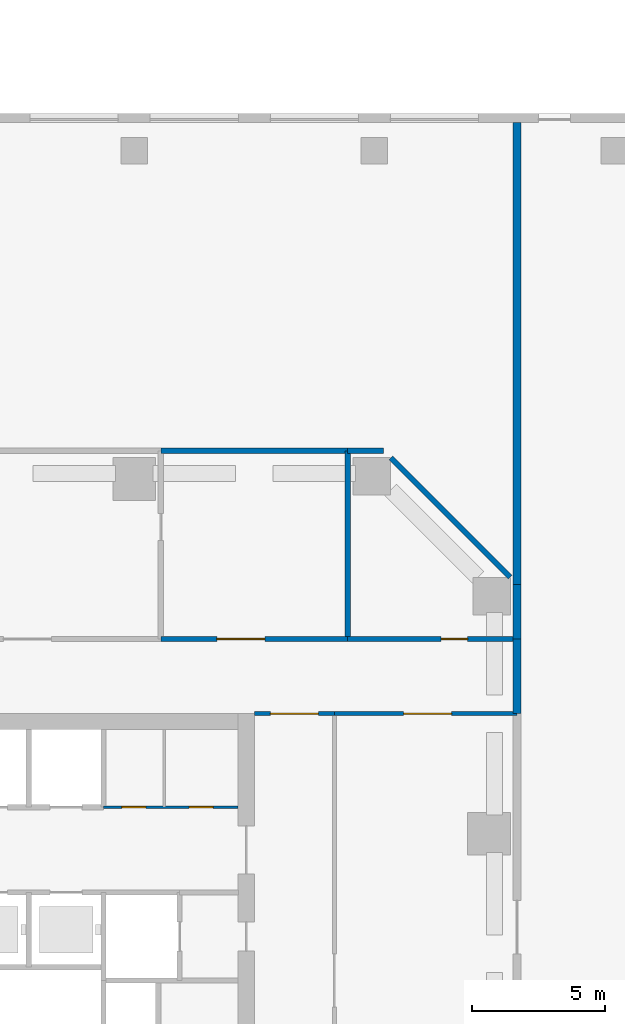
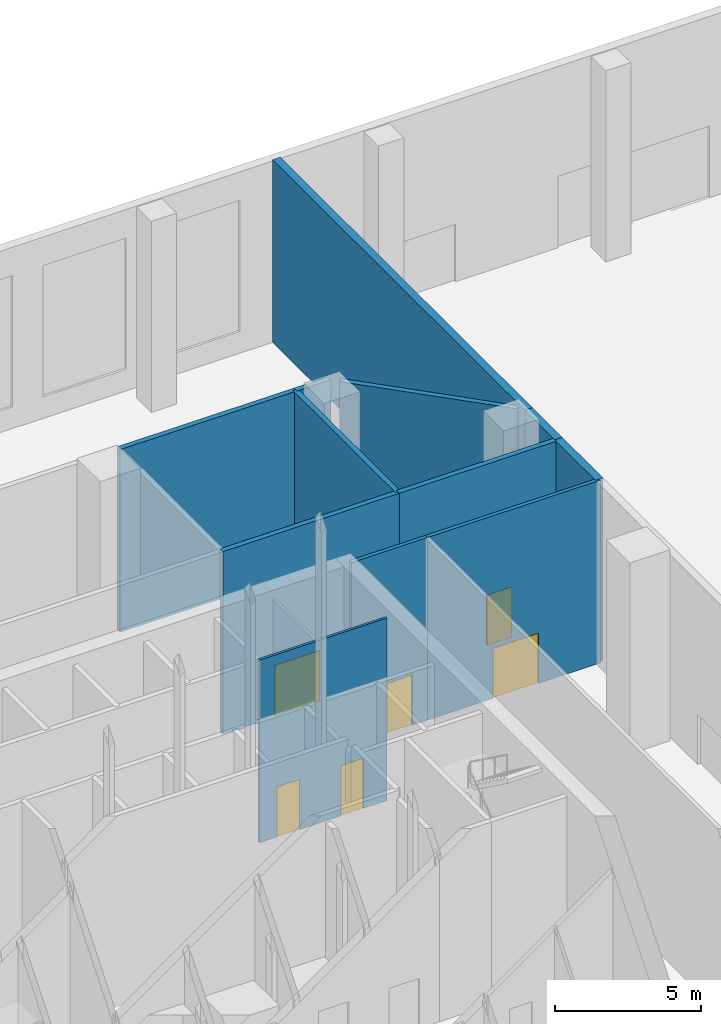
# One storey, part 17 of 32: 12 walls, 6 doors, 6 openings.
"""IFC4 building model written with IfcOpenShell, lengths in metres."""

from ifc_helpers import new_model, si_unit, direction, frame, frame_2d, origin, place, context, subcontext, project, spatial, rectangle, extrude, material, layer, layer_set, type_object, element, fill, save


model = new_model("IFC4")

# Units and contexts
model_context = context("Model", 3, precision=1e-05, world=origin(), true_north=direction((0.0, 1.0)))
body_context = subcontext(model_context, "Body", "Model", "MODEL_VIEW")
ifc_project = project(units=[si_unit("LENGTHUNIT", "METRE"), si_unit("AREAUNIT", "SQUARE_METRE"), si_unit("VOLUMEUNIT", "CUBIC_METRE"), si_unit("PLANEANGLEUNIT", "RADIAN"), si_unit("MASSUNIT", "GRAM", prefix="KILO")], contexts=[model_context])

# Site, building, storey
site_placement = place(None, origin())
site = spatial("IfcSite", under=ifc_project, at=site_placement, CompositionType="ELEMENT")
building_placement = place(site_placement, origin())
building = spatial("IfcBuilding", under=site, at=building_placement, Name="Quoin Convention Tower", CompositionType="ELEMENT")
storey_placement = place(building_placement, origin())
storey = spatial("IfcBuildingStorey", under=building, at=storey_placement, Name="L00", CompositionType="ELEMENT", Elevation=0.0)

# Walls
ifc_material_1 = material(Name="Plasterboard")
ifc_layer_1 = layer(ifc_material_1, 0.012451171875, Name="Finish")
ifc_material_2 = material(Name="Steel stud framing", Category="steel")
ifc_layer_2 = layer(ifc_material_2, 0.27490234375, Name="Structure")
ifc_layer_3 = layer(ifc_material_1, 0.012451171875, Name="Finish")
ifc_layer_set_1 = layer_set([ifc_layer_1, ifc_layer_2, ifc_layer_3], Name="Steel stud framing")
wall_type_1 = type_object("IfcWallType", Name="Acoustic wall 300", PredefinedType="PARTITIONING", material=ifc_layer_set_1)
wall_1_placement = place(storey_placement, frame((77.35009765625, 72.0, 0.0), z_axis=(0.0, 0.0, 1.0), x_axis=(0.0, 1.0, 0.0)))
element("IfcWall", 1, at=wall_1_placement, inside=storey, type_object=wall_type_1, Name="pw-L00-081", PredefinedType="PARTITIONING", context=body_context, shape_type="SweptSolid", body=[
    extrude(rectangle(XDim=2.800048828125, YDim=0.300048828125, at=frame_2d((1.39990234375, 0.0))), origin(), (0.0, 0.0, 1.0), 7.64990234375),
])
wall_2_placement = place(storey_placement, frame((77.35009765625, 74.800048828125, 0.0), z_axis=(0.0, 0.0, 1.0), x_axis=(0.0, 1.0, 0.0)))
element("IfcWall", 2, at=wall_2_placement, inside=storey, type_object=wall_type_1, Name="pw-L00-092", PredefinedType="PARTITIONING", context=body_context, shape_type="SweptSolid", body=[
    extrude(rectangle(XDim=2.052001953125, YDim=0.300048828125, at=frame_2d((1.02587890625, 0.0))), origin(), (0.0, 0.0, 1.0), 7.64990234375),
])
wall_3_placement = place(storey_placement, frame((77.35009765625, 76.85205078125, 0.0), z_axis=(0.0, 0.0, 1.0), x_axis=(0.0, 1.0, 0.0)))
element("IfcWall", 3, at=wall_3_placement, inside=storey, type_object=wall_type_1, Name="pw-L00-095", PredefinedType="PARTITIONING", context=body_context, shape_type="SweptSolid", body=[
    extrude(rectangle(XDim=17.2978515625, YDim=0.300048828125, at=frame_2d((8.64892578125, 0.0))), origin(), (0.0, 0.0, 1.0), 7.64990234375),
])

# Wall, opening, door
ifc_layer_4 = layer(ifc_material_1, 0.012451171875, Name="Finish")
ifc_layer_5 = layer(ifc_material_2, 0.175048828125, Name="Structure")
ifc_layer_6 = layer(ifc_material_1, 0.012451171875, Name="Finish")
ifc_layer_set_2 = layer_set([ifc_layer_4, ifc_layer_5, ifc_layer_6], Name="Steel stud framing")
wall_type_2 = type_object("IfcWallType", Name="Block wall 200", PredefinedType="PARTITIONING", material=ifc_layer_set_2)
wall_4_placement = place(storey_placement, frame((64.0, 74.800048828125, 0.0), z_axis=(0.0, 0.0, 1.0), x_axis=(1.0, 0.0, 0.0)))
wall_4 = element("IfcWall", 4, at=wall_4_placement, inside=storey, type_object=wall_type_2, Name="pw-L00-088", PredefinedType="PARTITIONING", context=body_context, shape_type="SweptSolid", body=[
    extrude(rectangle(XDim=7.0, YDim=0.199951171875, at=frame_2d((3.5, 0.0))), origin(), (0.0, 0.0, 1.0), 7.64990234375),
])
opening_1_placement = place(wall_4_placement, frame((2.10009765625, 0.0, 0.0)))
opening_1 = element("IfcOpeningElement", 5, at=opening_1_placement, cuts=wall_4, Name="Opening DPD0-40", PredefinedType="OPENING", context=body_context, shape_type="SweptSolid", body=[
    extrude(rectangle(XDim=1.800048828125, YDim=2.10009765625, at=frame_2d((0.89990234375, 1.050048828125))), frame((0.0, 0.10986328125, 0.0), z_axis=(0.0, -1.0, 0.0), x_axis=(1.0, 0.0, 0.0)), (0.0, 0.0, 1.0), 0.219970703125),
])
ifc_material_3 = material(Name="Steel door leaf", Category="steel")
door_type_1 = type_object("IfcDoorType", Name="Fire door pair 1800", OperationType="DOUBLE_DOOR_SINGLE_SWING", PredefinedType="DOOR", material=ifc_material_3)
door_1_placement = place(opening_1_placement, origin())
door_1 = element("IfcDoor", 6, at=door_1_placement, inside=storey, type_object=door_type_1, Name="dr-L00-018", OperationType="DOUBLE_DOOR_SINGLE_SWING", OverallHeight=2.10009765625, OverallWidth=1.800048828125, PredefinedType="DOOR", context=body_context, shape_type="SweptSolid", body=[
    extrude(rectangle(XDim=1.800048828125, YDim=2.10009765625, at=frame_2d((0.89990234375, 1.050048828125))), frame((0.0, 0.02490234375, 0.0), z_axis=(0.0, -1.0, 0.0), x_axis=(1.0, 0.0, 0.0)), (0.0, 0.0, 1.0), 0.050048828125),
])
fill(opening_1, door_1)

wall_5_placement = place(storey_placement, frame((71.0, 74.800048828125, 0.0), z_axis=(0.0, 0.0, 1.0), x_axis=(1.0, 0.0, 0.0)))
wall_5 = element("IfcWall", 7, at=wall_5_placement, inside=storey, type_object=wall_type_2, Name="pw-L00-090", PredefinedType="PARTITIONING", context=body_context, shape_type="SweptSolid", body=[
    extrude(rectangle(XDim=6.35009765625, YDim=0.199951171875, at=frame_2d((3.175048828125, 0.0))), origin(), (0.0, 0.0, 1.0), 7.64990234375),
])
opening_2_placement = place(wall_5_placement, frame((3.5, 0.0, 0.0)))
opening_2 = element("IfcOpeningElement", 8, at=opening_2_placement, cuts=wall_5, Name="Opening DPD0-42", PredefinedType="OPENING", context=body_context, shape_type="SweptSolid", body=[
    extrude(rectangle(XDim=1.0, YDim=2.10009765625, at=frame_2d((0.5, 1.050048828125))), frame((0.0, 0.10986328125, 0.0), z_axis=(0.0, -1.0, 0.0), x_axis=(1.0, 0.0, 0.0)), (0.0, 0.0, 1.0), 0.219970703125),
])
door_type_2 = type_object("IfcDoorType", Name="Single leaf door 1000", OperationType="SINGLE_SWING_LEFT", PredefinedType="DOOR", material=ifc_material_3)
door_2_placement = place(opening_2_placement, origin())
door_2 = element("IfcDoor", 9, at=door_2_placement, inside=storey, type_object=door_type_2, Name="dr-L00-019", OperationType="SINGLE_SWING_RIGHT", OverallHeight=2.10009765625, OverallWidth=1.0, PredefinedType="DOOR", context=body_context, shape_type="SweptSolid", body=[
    extrude(rectangle(XDim=1.0, YDim=2.10009765625, at=frame_2d((0.5, 1.050048828125))), frame((0.0, 0.02490234375, 0.0), z_axis=(0.0, -1.0, 0.0), x_axis=(1.0, 0.0, 0.0)), (0.0, 0.0, 1.0), 0.050048828125),
])
fill(opening_2, door_2)

# Walls
wall_6_placement = place(storey_placement, frame((71.0, 74.800048828125, 0.0), z_axis=(0.0, 0.0, 1.0), x_axis=(0.0, 1.0, 0.0)))
element("IfcWall", 10, at=wall_6_placement, inside=storey, type_object=wall_type_2, Name="pw-L00-091", PredefinedType="PARTITIONING", context=body_context, shape_type="SweptSolid", body=[
    extrude(rectangle(XDim=7.050048828125, YDim=0.199951171875, at=frame_2d((3.52490234375, 0.0))), origin(), (0.0, 0.0, 1.0), 7.64990234375),
])
wall_7_placement = place(storey_placement, frame((64.0, 81.85009765625, 0.0), z_axis=(0.0, 0.0, 1.0), x_axis=(1.0, 0.0, 0.0)))
element("IfcWall", 11, at=wall_7_placement, inside=storey, type_object=wall_type_2, Name="pw-L00-100", PredefinedType="PARTITIONING", context=body_context, shape_type="SweptSolid", body=[
    extrude(rectangle(XDim=7.0, YDim=0.199951171875, at=frame_2d((3.5, 0.0))), origin(), (0.0, 0.0, 1.0), 7.64990234375),
])
wall_8_placement = place(storey_placement, frame((71.0, 81.85009765625, 0.0), z_axis=(0.0, 0.0, 1.0), x_axis=(1.0, 0.0, 0.0)))
element("IfcWall", 12, at=wall_8_placement, inside=storey, type_object=wall_type_2, Name="pw-L00-101", PredefinedType="PARTITIONING", context=body_context, shape_type="SweptSolid", body=[
    extrude(rectangle(XDim=1.35205078125, YDim=0.199951171875, at=frame_2d((0.676025390625, 0.0))), origin(), (0.0, 0.0, 1.0), 7.64990234375),
])
wall_9_placement = place(storey_placement, frame((72.6201171875, 81.58203125, 0.0), z_axis=(0.0, 0.0, 1.0), x_axis=(0.707106781187, -0.707106781187, 0.0)))
element("IfcWall", 13, at=wall_9_placement, inside=storey, type_object=wall_type_2, Name="pw-L00-102", PredefinedType="PARTITIONING", context=body_context, shape_type="SweptSolid", body=[
    extrude(rectangle(XDim=6.31005859375, YDim=0.199951171875, at=frame_2d((3.155029296875, 0.0))), origin(), (0.0, 0.0, 1.0), 7.64990234375),
])

# Wall, openings, doors
ifc_layer_7 = layer(ifc_material_1, 0.012451171875, Name="Finish")
ifc_layer_8 = layer(ifc_material_2, 0.074951171875, Name="Structure")
ifc_layer_9 = layer(ifc_material_1, 0.012451171875, Name="Finish")
ifc_layer_set_3 = layer_set([ifc_layer_7, ifc_layer_8, ifc_layer_9], Name="Steel stud framing")
wall_type_3 = type_object("IfcWallType", Name="Core partition wall", PredefinedType="PARTITIONING", material=ifc_layer_set_3)
wall_10_placement = place(storey_placement, frame((61.85009765625, 68.5, 0.0), z_axis=(0.0, 0.0, 1.0), x_axis=(1.0, 0.0, 0.0)))
wall_10 = element("IfcWall", 14, at=wall_10_placement, inside=storey, type_object=wall_type_3, Name="cr-C1-L00-h19000_16850", PredefinedType="PARTITIONING", context=body_context, shape_type="SweptSolid", body=[
    extrude(rectangle(XDim=5.0498046875, YDim=0.10009765625, at=frame_2d((2.52490234375, 0.0))), origin(), (0.0, 0.0, 1.0), 7.64990234375),
])
opening_3_placement = place(wall_10_placement, frame((3.211181640625, 0.0, 0.0)))
opening_3 = element("IfcOpeningElement", 15, at=opening_3_placement, cuts=wall_10, Name="Opening DCV0-07", PredefinedType="OPENING", context=body_context, shape_type="SweptSolid", body=[
    extrude(rectangle(XDim=0.89990234375, YDim=2.10009765625, at=frame_2d((0.449951171875, 1.050048828125))), frame((0.0, 0.06005859375, 0.0), z_axis=(0.0, -1.0, 0.0), x_axis=(1.0, 0.0, 0.0)), (0.0, 0.0, 1.0), 0.1201171875),
])
opening_4_placement = place(wall_10_placement, frame((0.686279296875, 0.0, 0.0)))
opening_4 = element("IfcOpeningElement", 16, at=opening_4_placement, cuts=wall_10, Name="Opening DCV0-04", PredefinedType="OPENING", context=body_context, shape_type="SweptSolid", body=[
    extrude(rectangle(XDim=0.89990234375, YDim=2.10009765625, at=frame_2d((0.449951171875, 1.050048828125))), frame((0.0, 0.06005859375, 0.0), z_axis=(0.0, -1.0, 0.0), x_axis=(1.0, 0.0, 0.0)), (0.0, 0.0, 1.0), 0.1201171875),
])
door_type_3 = type_object("IfcDoorType", Name="Core room door 900 x 2100", OperationType="SINGLE_SWING_LEFT", PredefinedType="DOOR", material=ifc_material_3)
door_3_placement = place(opening_3_placement, origin())
door_3 = element("IfcDoor", 17, at=door_3_placement, inside=storey, type_object=door_type_3, Name="cd-C1-L00-CNE0-lobB-CD0007", OperationType="SINGLE_SWING_LEFT", OverallHeight=2.10009765625, OverallWidth=0.89990234375, PredefinedType="DOOR", context=body_context, shape_type="SweptSolid", body=[
    extrude(rectangle(XDim=0.89990234375, YDim=2.10009765625, at=frame_2d((0.449951171875, 1.050048828125))), frame((0.0, 0.02490234375, 0.0), z_axis=(0.0, -1.0, 0.0), x_axis=(1.0, 0.0, 0.0)), (0.0, 0.0, 1.0), 0.050048828125),
])
fill(opening_3, door_3)
door_4_placement = place(opening_4_placement, origin())
door_4 = element("IfcDoor", 18, at=door_4_placement, inside=storey, type_object=door_type_3, Name="cd-C1-L00-CNE1-lobB-CD0008", OperationType="SINGLE_SWING_LEFT", OverallHeight=2.10009765625, OverallWidth=0.89990234375, PredefinedType="DOOR", context=body_context, shape_type="SweptSolid", body=[
    extrude(rectangle(XDim=0.89990234375, YDim=2.10009765625, at=frame_2d((0.449951171875, 1.050048828125))), frame((0.0, 0.02490234375, 0.0), z_axis=(0.0, -1.0, 0.0), x_axis=(1.0, 0.0, 0.0)), (0.0, 0.0, 1.0), 0.050048828125),
])
fill(opening_4, door_4)

# Wall, opening, door
ifc_layer_10 = layer(ifc_material_1, 0.012451171875, Name="Finish")
ifc_layer_11 = layer(ifc_material_2, 0.125, Name="Structure")
ifc_layer_12 = layer(ifc_material_1, 0.012451171875, Name="Finish")
ifc_layer_set_4 = layer_set([ifc_layer_10, ifc_layer_11, ifc_layer_12], Name="Steel stud framing")
wall_type_4 = type_object("IfcWallType", Name="Partition wall 150", PredefinedType="PARTITIONING", material=ifc_layer_set_4)
wall_11_placement = place(storey_placement, frame((67.5, 72.0, 0.0), z_axis=(0.0, 0.0, 1.0), x_axis=(1.0, 0.0, 0.0)))
wall_11 = element("IfcWall", 19, at=wall_11_placement, inside=storey, type_object=wall_type_4, Name="pw-L00-079", PredefinedType="PARTITIONING", context=body_context, shape_type="SweptSolid", body=[
    extrude(rectangle(XDim=3.0, YDim=0.14990234375, at=frame_2d((1.5, 0.0))), origin(), (0.0, 0.0, 1.0), 7.64990234375),
])
opening_5_placement = place(wall_11_placement, frame((0.60009765625, 0.0, 0.0)))
opening_5 = element("IfcOpeningElement", 20, at=opening_5_placement, cuts=wall_11, Name="Opening DPD0-33", PredefinedType="OPENING", context=body_context, shape_type="SweptSolid", body=[
    extrude(rectangle(XDim=1.800048828125, YDim=2.10009765625, at=frame_2d((0.89990234375, 1.050048828125))), frame((0.0, 0.0849609375, 0.0), z_axis=(0.0, -1.0, 0.0), x_axis=(1.0, 0.0, 0.0)), (0.0, 0.0, 1.0), 0.169921875),
])
door_type_4 = type_object("IfcDoorType", Name="Double leaf door 1800", OperationType="DOUBLE_DOOR_SINGLE_SWING", PredefinedType="DOOR", material=ifc_material_3)
door_5_placement = place(opening_5_placement, origin())
door_5 = element("IfcDoor", 21, at=door_5_placement, inside=storey, type_object=door_type_4, Name="dr-L00-013", OperationType="DOUBLE_DOOR_SINGLE_SWING", OverallHeight=2.10009765625, OverallWidth=1.800048828125, PredefinedType="DOOR", context=body_context, shape_type="SweptSolid", body=[
    extrude(rectangle(XDim=1.800048828125, YDim=2.10009765625, at=frame_2d((0.89990234375, 1.050048828125))), frame((0.0, 0.02490234375, 0.0), z_axis=(0.0, -1.0, 0.0), x_axis=(1.0, 0.0, 0.0)), (0.0, 0.0, 1.0), 0.050048828125),
])
fill(opening_5, door_5)

wall_12_placement = place(storey_placement, frame((70.5, 72.0, 0.0), z_axis=(0.0, 0.0, 1.0), x_axis=(1.0, 0.0, 0.0)))
wall_12 = element("IfcWall", 22, at=wall_12_placement, inside=storey, type_object=wall_type_4, Name="pw-L00-080", PredefinedType="PARTITIONING", context=body_context, shape_type="SweptSolid", body=[
    extrude(rectangle(XDim=6.85009765625, YDim=0.14990234375, at=frame_2d((3.425048828125, 0.0))), origin(), (0.0, 0.0, 1.0), 7.64990234375),
])
opening_6_placement = place(wall_12_placement, frame((2.60009765625, 0.0, 0.0)))
opening_6 = element("IfcOpeningElement", 23, at=opening_6_placement, cuts=wall_12, Name="Opening DPD0-34", PredefinedType="OPENING", context=body_context, shape_type="SweptSolid", body=[
    extrude(rectangle(XDim=1.800048828125, YDim=2.10009765625, at=frame_2d((0.89990234375, 1.050048828125))), frame((0.0, 0.0849609375, 0.0), z_axis=(0.0, -1.0, 0.0), x_axis=(1.0, 0.0, 0.0)), (0.0, 0.0, 1.0), 0.169921875),
])
door_6_placement = place(opening_6_placement, origin())
door_6 = element("IfcDoor", 24, at=door_6_placement, inside=storey, type_object=door_type_4, Name="dr-L00-011", OperationType="DOUBLE_DOOR_SINGLE_SWING", OverallHeight=2.10009765625, OverallWidth=1.800048828125, PredefinedType="DOOR", context=body_context, shape_type="SweptSolid", body=[
    extrude(rectangle(XDim=1.800048828125, YDim=2.10009765625, at=frame_2d((0.89990234375, 1.050048828125))), frame((0.0, 0.02490234375, 0.0), z_axis=(0.0, -1.0, 0.0), x_axis=(1.0, 0.0, 0.0)), (0.0, 0.0, 1.0), 0.050048828125),
])
fill(opening_6, door_6)

save(model, "model.ifc")
